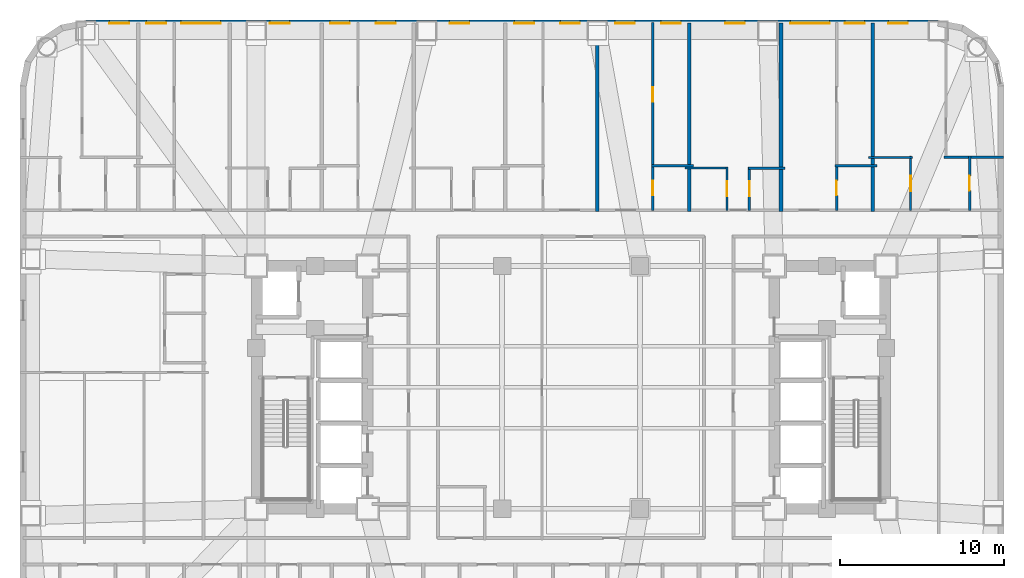
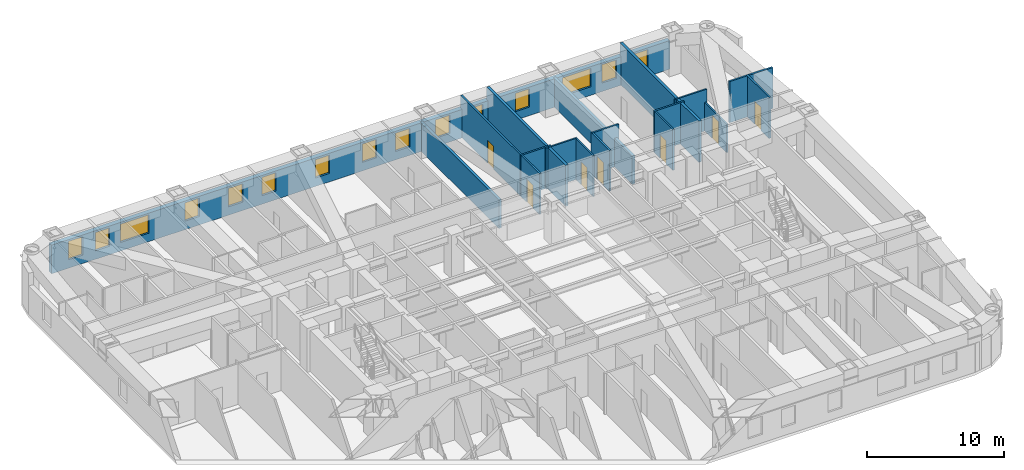
# One storey, part 9 of 12: 18 walls, 15 windows, 7 doors, 22 openings.
"""IFC4 building model written with IfcOpenShell, lengths in metres."""

from ifc_helpers import new_model, si_unit, direction, frame, frame_2d, origin, place, context, subcontext, project, spatial, rectangle, extrude, material, layer, layer_set, type_object, element, fill, save


model = new_model("IFC4")

# Units and contexts
model_context = context("Model", 3, precision=1e-05, world=origin(), true_north=direction((0.0, 1.0)))
body_context = subcontext(model_context, "Body", "Model", "MODEL_VIEW")
ifc_project = project(units=[si_unit("LENGTHUNIT", "METRE"), si_unit("AREAUNIT", "SQUARE_METRE"), si_unit("VOLUMEUNIT", "CUBIC_METRE"), si_unit("PLANEANGLEUNIT", "RADIAN"), si_unit("MASSUNIT", "GRAM", prefix="KILO")], contexts=[model_context])

# Site, building, storey
site_placement = place(None, origin())
site = spatial("IfcSite", under=ifc_project, at=site_placement, CompositionType="ELEMENT")
building_placement = place(site_placement, origin())
building = spatial("IfcBuilding", under=site, at=building_placement, Name="Voryun Gate Residences", CompositionType="ELEMENT")
storey_placement = place(building_placement, frame((0.0, 0.0, 29.89990234375)))
storey = spatial("IfcBuildingStorey", under=building, at=storey_placement, Name="L06", CompositionType="ELEMENT", Elevation=29.89990234375)

# Wall, openings, windows
ifc_material_1 = material(Name="Granite masonry", Category="masonry")
ifc_layer_1 = layer(ifc_material_1, 0.3798828125, Name="W_EXT_GRANITE_380")
ifc_layer_set_1 = layer_set([ifc_layer_1], Name="Granite masonry")
wall_type_1 = type_object("IfcWallType", Name="W_EXT_GRANITE_380", PredefinedType="ELEMENTEDWALL", material=ifc_layer_set_1)
wall_1_placement = place(storey_placement, frame((-29.581298828125, 22.2099609375, 0.0), z_axis=(0.0, 0.0, 1.0), x_axis=(1.0, 0.0, 0.0)))
wall_1 = element("IfcWall", 1, at=wall_1_placement, inside=storey, type_object=wall_type_1, Name="Exterior wall WEXT-L06-11", PredefinedType="ELEMENTEDWALL", context=body_context, shape_type="SweptSolid", body=[
    extrude(rectangle(XDim=51.962646484375, YDim=0.3798828125, at=frame_2d((25.9814453125, 0.0))), origin(), (0.0, 0.0, 1.0), 2.5400390625),
])
opening_1_placement = place(wall_1_placement, frame((5.810302734375, 0.0, 0.75)))
opening_1 = element("IfcOpeningElement", 2, at=opening_1_placement, cuts=wall_1, Name="Opening WN2", PredefinedType="OPENING", context=body_context, shape_type="SweptSolid", body=[
    extrude(rectangle(XDim=2.39990234375, YDim=1.6298828125, at=frame_2d((1.199951171875, 0.81494140625))), frame((0.0, 0.199951171875, 0.0), z_axis=(0.0, -1.0, 0.0), x_axis=(1.0, 0.0, 0.0)), (0.0, 0.0, 1.0), 0.39990234375),
])
opening_2_placement = place(wall_1_placement, frame((42.9521484375, 0.0, 0.75)))
opening_2 = element("IfcOpeningElement", 3, at=opening_2_placement, cuts=wall_1, Name="Opening WN2", PredefinedType="OPENING", context=body_context, shape_type="SweptSolid", body=[
    extrude(rectangle(XDim=2.39990234375, YDim=1.6298828125, at=frame_2d((1.199951171875, 0.81494140625))), frame((0.0, 0.199951171875, 0.0), z_axis=(0.0, -1.0, 0.0), x_axis=(1.0, 0.0, 0.0)), (0.0, 0.0, 1.0), 0.39990234375),
])
opening_3_placement = place(wall_1_placement, frame((1.435546875, 0.0, 0.75)))
opening_3 = element("IfcOpeningElement", 4, at=opening_3_placement, cuts=wall_1, Name="Opening WN6", PredefinedType="OPENING", context=body_context, shape_type="SweptSolid", body=[
    extrude(rectangle(XDim=1.199951171875, YDim=1.6298828125, at=frame_2d((0.60009765625, 0.81494140625))), frame((0.0, 0.199951171875, 0.0), z_axis=(0.0, -1.0, 0.0), x_axis=(1.0, 0.0, 0.0)), (0.0, 0.0, 1.0), 0.39990234375),
])
opening_4_placement = place(wall_1_placement, frame((3.686279296875, 0.0, 0.75)))
opening_4 = element("IfcOpeningElement", 5, at=opening_4_placement, cuts=wall_1, Name="Opening WN6", PredefinedType="OPENING", context=body_context, shape_type="SweptSolid", body=[
    extrude(rectangle(XDim=1.199951171875, YDim=1.6298828125, at=frame_2d((0.60009765625, 0.81494140625))), frame((0.0, 0.199951171875, 0.0), z_axis=(0.0, -1.0, 0.0), x_axis=(1.0, 0.0, 0.0)), (0.0, 0.0, 1.0), 0.39990234375),
])
opening_5_placement = place(wall_1_placement, frame((11.22119140625, 0.0, 0.75)))
opening_5 = element("IfcOpeningElement", 6, at=opening_5_placement, cuts=wall_1, Name="Opening WN6", PredefinedType="OPENING", context=body_context, shape_type="SweptSolid", body=[
    extrude(rectangle(XDim=1.199951171875, YDim=1.6298828125, at=frame_2d((0.60009765625, 0.81494140625))), frame((0.0, 0.199951171875, 0.0), z_axis=(0.0, -1.0, 0.0), x_axis=(1.0, 0.0, 0.0)), (0.0, 0.0, 1.0), 0.39990234375),
])
opening_6_placement = place(wall_1_placement, frame((17.686279296875, 0.0, 0.75)))
opening_6 = element("IfcOpeningElement", 7, at=opening_6_placement, cuts=wall_1, Name="Opening WN6", PredefinedType="OPENING", context=body_context, shape_type="SweptSolid", body=[
    extrude(rectangle(XDim=1.199951171875, YDim=1.6298828125, at=frame_2d((0.60009765625, 0.81494140625))), frame((0.0, 0.199951171875, 0.0), z_axis=(0.0, -1.0, 0.0), x_axis=(1.0, 0.0, 0.0)), (0.0, 0.0, 1.0), 0.39990234375),
])
opening_7_placement = place(wall_1_placement, frame((14.88623046875, 0.0, 0.75)))
opening_7 = element("IfcOpeningElement", 8, at=opening_7_placement, cuts=wall_1, Name="Opening WN6", PredefinedType="OPENING", context=body_context, shape_type="SweptSolid", body=[
    extrude(rectangle(XDim=1.199951171875, YDim=1.6298828125, at=frame_2d((0.60009765625, 0.81494140625))), frame((0.0, 0.199951171875, 0.0), z_axis=(0.0, -1.0, 0.0), x_axis=(1.0, 0.0, 0.0)), (0.0, 0.0, 1.0), 0.39990234375),
])
opening_8_placement = place(wall_1_placement, frame((22.181396484375, 0.0, 0.75)))
opening_8 = element("IfcOpeningElement", 9, at=opening_8_placement, cuts=wall_1, Name="Opening WN6", PredefinedType="OPENING", context=body_context, shape_type="SweptSolid", body=[
    extrude(rectangle(XDim=1.199951171875, YDim=1.6298828125, at=frame_2d((0.60009765625, 0.81494140625))), frame((0.0, 0.199951171875, 0.0), z_axis=(0.0, -1.0, 0.0), x_axis=(1.0, 0.0, 0.0)), (0.0, 0.0, 1.0), 0.39990234375),
])
opening_9_placement = place(wall_1_placement, frame((28.92626953125, 0.0, 0.75)))
opening_9 = element("IfcOpeningElement", 10, at=opening_9_placement, cuts=wall_1, Name="Opening WN6", PredefinedType="OPENING", context=body_context, shape_type="SweptSolid", body=[
    extrude(rectangle(XDim=1.199951171875, YDim=1.6298828125, at=frame_2d((0.60009765625, 0.81494140625))), frame((0.0, 0.199951171875, 0.0), z_axis=(0.0, -1.0, 0.0), x_axis=(1.0, 0.0, 0.0)), (0.0, 0.0, 1.0), 0.39990234375),
])
opening_10_placement = place(wall_1_placement, frame((26.126220703125, 0.0, 0.75)))
opening_10 = element("IfcOpeningElement", 11, at=opening_10_placement, cuts=wall_1, Name="Opening WN6", PredefinedType="OPENING", context=body_context, shape_type="SweptSolid", body=[
    extrude(rectangle(XDim=1.199951171875, YDim=1.6298828125, at=frame_2d((0.60009765625, 0.81494140625))), frame((0.0, 0.199951171875, 0.0), z_axis=(0.0, -1.0, 0.0), x_axis=(1.0, 0.0, 0.0)), (0.0, 0.0, 1.0), 0.39990234375),
])
opening_11_placement = place(wall_1_placement, frame((32.2763671875, 0.0, 0.75)))
opening_11 = element("IfcOpeningElement", 12, at=opening_11_placement, cuts=wall_1, Name="Opening WN6", PredefinedType="OPENING", context=body_context, shape_type="SweptSolid", body=[
    extrude(rectangle(XDim=1.199951171875, YDim=1.6298828125, at=frame_2d((0.60009765625, 0.81494140625))), frame((0.0, 0.199951171875, 0.0), z_axis=(0.0, -1.0, 0.0), x_axis=(1.0, 0.0, 0.0)), (0.0, 0.0, 1.0), 0.39990234375),
])
opening_12_placement = place(wall_1_placement, frame((35.076416015625, 0.0, 0.75)))
opening_12 = element("IfcOpeningElement", 13, at=opening_12_placement, cuts=wall_1, Name="Opening WN6", PredefinedType="OPENING", context=body_context, shape_type="SweptSolid", body=[
    extrude(rectangle(XDim=1.199951171875, YDim=1.6298828125, at=frame_2d((0.60009765625, 0.81494140625))), frame((0.0, 0.199951171875, 0.0), z_axis=(0.0, -1.0, 0.0), x_axis=(1.0, 0.0, 0.0)), (0.0, 0.0, 1.0), 0.39990234375),
])
opening_13_placement = place(wall_1_placement, frame((38.981201171875, 0.0, 0.75)))
opening_13 = element("IfcOpeningElement", 14, at=opening_13_placement, cuts=wall_1, Name="Opening WN6", PredefinedType="OPENING", context=body_context, shape_type="SweptSolid", body=[
    extrude(rectangle(XDim=1.199951171875, YDim=1.6298828125, at=frame_2d((0.60009765625, 0.81494140625))), frame((0.0, 0.199951171875, 0.0), z_axis=(0.0, -1.0, 0.0), x_axis=(1.0, 0.0, 0.0)), (0.0, 0.0, 1.0), 0.39990234375),
])
opening_14_placement = place(wall_1_placement, frame((46.2763671875, 0.0, 0.75)))
opening_14 = element("IfcOpeningElement", 15, at=opening_14_placement, cuts=wall_1, Name="Opening WN6", PredefinedType="OPENING", context=body_context, shape_type="SweptSolid", body=[
    extrude(rectangle(XDim=1.199951171875, YDim=1.6298828125, at=frame_2d((0.60009765625, 0.81494140625))), frame((0.0, 0.199951171875, 0.0), z_axis=(0.0, -1.0, 0.0), x_axis=(1.0, 0.0, 0.0)), (0.0, 0.0, 1.0), 0.39990234375),
])
opening_15_placement = place(wall_1_placement, frame((48.927001953125, 0.0, 0.75)))
opening_15 = element("IfcOpeningElement", 16, at=opening_15_placement, cuts=wall_1, Name="Opening WN6", PredefinedType="OPENING", context=body_context, shape_type="SweptSolid", body=[
    extrude(rectangle(XDim=1.199951171875, YDim=1.6298828125, at=frame_2d((0.60009765625, 0.81494140625))), frame((0.0, 0.199951171875, 0.0), z_axis=(0.0, -1.0, 0.0), x_axis=(1.0, 0.0, 0.0)), (0.0, 0.0, 1.0), 0.39990234375),
])
ifc_material_2 = material(Name="Laminated low-E glass", Category="glass")
window_type_1 = type_object("IfcWindowType", Name="WN_POD_SLOT_1200", PartitioningType="SINGLE_PANEL", PredefinedType="WINDOW", material=ifc_material_2)
window_1_placement = place(opening_3_placement, origin())
window_1 = element("IfcWindow", 17, at=window_1_placement, inside=storey, type_object=window_type_1, Name="Window WN-L06-DWFIX-02", OverallHeight=1.6298828125, OverallWidth=1.199951171875, PartitioningType="SINGLE_PANEL", PredefinedType="WINDOW", context=body_context, shape_type="SweptSolid", body=[
    extrude(rectangle(XDim=1.199951171875, YDim=1.6298828125, at=frame_2d((0.60009765625, 0.81494140625))), frame((0.0, 0.030029296875, 0.0), z_axis=(0.0, -1.0, 0.0), x_axis=(1.0, 0.0, 0.0)), (0.0, 0.0, 1.0), 0.06005859375),
])
fill(opening_3, window_1)
window_2_placement = place(opening_4_placement, origin())
window_2 = element("IfcWindow", 18, at=window_2_placement, inside=storey, type_object=window_type_1, Name="Window WN-L06-DWFIX-03", OverallHeight=1.6298828125, OverallWidth=1.199951171875, PartitioningType="SINGLE_PANEL", PredefinedType="WINDOW", context=body_context, shape_type="SweptSolid", body=[
    extrude(rectangle(XDim=1.199951171875, YDim=1.6298828125, at=frame_2d((0.60009765625, 0.81494140625))), frame((0.0, 0.030029296875, 0.0), z_axis=(0.0, -1.0, 0.0), x_axis=(1.0, 0.0, 0.0)), (0.0, 0.0, 1.0), 0.06005859375),
])
fill(opening_4, window_2)
window_3_placement = place(opening_5_placement, origin())
window_3 = element("IfcWindow", 19, at=window_3_placement, inside=storey, type_object=window_type_1, Name="Window WN-L06-DWFIX-04", OverallHeight=1.6298828125, OverallWidth=1.199951171875, PartitioningType="SINGLE_PANEL", PredefinedType="WINDOW", context=body_context, shape_type="SweptSolid", body=[
    extrude(rectangle(XDim=1.199951171875, YDim=1.6298828125, at=frame_2d((0.60009765625, 0.81494140625))), frame((0.0, 0.030029296875, 0.0), z_axis=(0.0, -1.0, 0.0), x_axis=(1.0, 0.0, 0.0)), (0.0, 0.0, 1.0), 0.06005859375),
])
fill(opening_5, window_3)
window_4_placement = place(opening_6_placement, origin())
window_4 = element("IfcWindow", 20, at=window_4_placement, inside=storey, type_object=window_type_1, Name="Window WN-L06-DWFIX-05", OverallHeight=1.6298828125, OverallWidth=1.199951171875, PartitioningType="SINGLE_PANEL", PredefinedType="WINDOW", context=body_context, shape_type="SweptSolid", body=[
    extrude(rectangle(XDim=1.199951171875, YDim=1.6298828125, at=frame_2d((0.60009765625, 0.81494140625))), frame((0.0, 0.030029296875, 0.0), z_axis=(0.0, -1.0, 0.0), x_axis=(1.0, 0.0, 0.0)), (0.0, 0.0, 1.0), 0.06005859375),
])
fill(opening_6, window_4)
window_5_placement = place(opening_7_placement, origin())
window_5 = element("IfcWindow", 21, at=window_5_placement, inside=storey, type_object=window_type_1, Name="Window WN-L06-DWFIX-06", OverallHeight=1.6298828125, OverallWidth=1.199951171875, PartitioningType="SINGLE_PANEL", PredefinedType="WINDOW", context=body_context, shape_type="SweptSolid", body=[
    extrude(rectangle(XDim=1.199951171875, YDim=1.6298828125, at=frame_2d((0.60009765625, 0.81494140625))), frame((0.0, 0.030029296875, 0.0), z_axis=(0.0, -1.0, 0.0), x_axis=(1.0, 0.0, 0.0)), (0.0, 0.0, 1.0), 0.06005859375),
])
fill(opening_7, window_5)
window_6_placement = place(opening_8_placement, origin())
window_6 = element("IfcWindow", 22, at=window_6_placement, inside=storey, type_object=window_type_1, Name="Window WN-L06-DWFIX-07", OverallHeight=1.6298828125, OverallWidth=1.199951171875, PartitioningType="SINGLE_PANEL", PredefinedType="WINDOW", context=body_context, shape_type="SweptSolid", body=[
    extrude(rectangle(XDim=1.199951171875, YDim=1.6298828125, at=frame_2d((0.60009765625, 0.81494140625))), frame((0.0, 0.030029296875, 0.0), z_axis=(0.0, -1.0, 0.0), x_axis=(1.0, 0.0, 0.0)), (0.0, 0.0, 1.0), 0.06005859375),
])
fill(opening_8, window_6)
window_7_placement = place(opening_9_placement, origin())
window_7 = element("IfcWindow", 23, at=window_7_placement, inside=storey, type_object=window_type_1, Name="Window WN-L06-DWFIX-08", OverallHeight=1.6298828125, OverallWidth=1.199951171875, PartitioningType="SINGLE_PANEL", PredefinedType="WINDOW", context=body_context, shape_type="SweptSolid", body=[
    extrude(rectangle(XDim=1.199951171875, YDim=1.6298828125, at=frame_2d((0.60009765625, 0.81494140625))), frame((0.0, 0.030029296875, 0.0), z_axis=(0.0, -1.0, 0.0), x_axis=(1.0, 0.0, 0.0)), (0.0, 0.0, 1.0), 0.06005859375),
])
fill(opening_9, window_7)
window_8_placement = place(opening_10_placement, origin())
window_8 = element("IfcWindow", 24, at=window_8_placement, inside=storey, type_object=window_type_1, Name="Window WN-L06-DWFIX-09", OverallHeight=1.6298828125, OverallWidth=1.199951171875, PartitioningType="SINGLE_PANEL", PredefinedType="WINDOW", context=body_context, shape_type="SweptSolid", body=[
    extrude(rectangle(XDim=1.199951171875, YDim=1.6298828125, at=frame_2d((0.60009765625, 0.81494140625))), frame((0.0, 0.030029296875, 0.0), z_axis=(0.0, -1.0, 0.0), x_axis=(1.0, 0.0, 0.0)), (0.0, 0.0, 1.0), 0.06005859375),
])
fill(opening_10, window_8)
window_9_placement = place(opening_11_placement, origin())
window_9 = element("IfcWindow", 25, at=window_9_placement, inside=storey, type_object=window_type_1, Name="Window WN-L06-DWFIX-10", OverallHeight=1.6298828125, OverallWidth=1.199951171875, PartitioningType="SINGLE_PANEL", PredefinedType="WINDOW", context=body_context, shape_type="SweptSolid", body=[
    extrude(rectangle(XDim=1.199951171875, YDim=1.6298828125, at=frame_2d((0.60009765625, 0.81494140625))), frame((0.0, 0.030029296875, 0.0), z_axis=(0.0, -1.0, 0.0), x_axis=(1.0, 0.0, 0.0)), (0.0, 0.0, 1.0), 0.06005859375),
])
fill(opening_11, window_9)
window_10_placement = place(opening_12_placement, origin())
window_10 = element("IfcWindow", 26, at=window_10_placement, inside=storey, type_object=window_type_1, Name="Window WN-L06-DWFIX-11", OverallHeight=1.6298828125, OverallWidth=1.199951171875, PartitioningType="SINGLE_PANEL", PredefinedType="WINDOW", context=body_context, shape_type="SweptSolid", body=[
    extrude(rectangle(XDim=1.199951171875, YDim=1.6298828125, at=frame_2d((0.60009765625, 0.81494140625))), frame((0.0, 0.030029296875, 0.0), z_axis=(0.0, -1.0, 0.0), x_axis=(1.0, 0.0, 0.0)), (0.0, 0.0, 1.0), 0.06005859375),
])
fill(opening_12, window_10)
window_11_placement = place(opening_13_placement, origin())
window_11 = element("IfcWindow", 27, at=window_11_placement, inside=storey, type_object=window_type_1, Name="Window WN-L06-DWFIX-12", OverallHeight=1.6298828125, OverallWidth=1.199951171875, PartitioningType="SINGLE_PANEL", PredefinedType="WINDOW", context=body_context, shape_type="SweptSolid", body=[
    extrude(rectangle(XDim=1.199951171875, YDim=1.6298828125, at=frame_2d((0.60009765625, 0.81494140625))), frame((0.0, 0.030029296875, 0.0), z_axis=(0.0, -1.0, 0.0), x_axis=(1.0, 0.0, 0.0)), (0.0, 0.0, 1.0), 0.06005859375),
])
fill(opening_13, window_11)
window_12_placement = place(opening_14_placement, origin())
window_12 = element("IfcWindow", 28, at=window_12_placement, inside=storey, type_object=window_type_1, Name="Window WN-L06-DWFIX-13", OverallHeight=1.6298828125, OverallWidth=1.199951171875, PartitioningType="SINGLE_PANEL", PredefinedType="WINDOW", context=body_context, shape_type="SweptSolid", body=[
    extrude(rectangle(XDim=1.199951171875, YDim=1.6298828125, at=frame_2d((0.60009765625, 0.81494140625))), frame((0.0, 0.030029296875, 0.0), z_axis=(0.0, -1.0, 0.0), x_axis=(1.0, 0.0, 0.0)), (0.0, 0.0, 1.0), 0.06005859375),
])
fill(opening_14, window_12)
window_13_placement = place(opening_15_placement, origin())
window_13 = element("IfcWindow", 29, at=window_13_placement, inside=storey, type_object=window_type_1, Name="Window WN-L06-DWFIX-14", OverallHeight=1.6298828125, OverallWidth=1.199951171875, PartitioningType="SINGLE_PANEL", PredefinedType="WINDOW", context=body_context, shape_type="SweptSolid", body=[
    extrude(rectangle(XDim=1.199951171875, YDim=1.6298828125, at=frame_2d((0.60009765625, 0.81494140625))), frame((0.0, 0.030029296875, 0.0), z_axis=(0.0, -1.0, 0.0), x_axis=(1.0, 0.0, 0.0)), (0.0, 0.0, 1.0), 0.06005859375),
])
fill(opening_15, window_13)
ifc_material_3 = material(Name="Laminated low-E glass", Category="glass")
window_type_2 = type_object("IfcWindowType", Name="WN_RES_WIDE_2400", PartitioningType="SINGLE_PANEL", PredefinedType="WINDOW", material=ifc_material_3)
window_14_placement = place(opening_1_placement, origin())
window_14 = element("IfcWindow", 30, at=window_14_placement, inside=storey, type_object=window_type_2, Name="Window WN-WEXT-L06-11-01", OverallHeight=1.6298828125, OverallWidth=2.39990234375, PartitioningType="SINGLE_PANEL", PredefinedType="WINDOW", context=body_context, shape_type="SweptSolid", body=[
    extrude(rectangle(XDim=2.39990234375, YDim=1.6298828125, at=frame_2d((1.199951171875, 0.81494140625))), frame((0.0, 0.030029296875, 0.0), z_axis=(0.0, -1.0, 0.0), x_axis=(1.0, 0.0, 0.0)), (0.0, 0.0, 1.0), 0.06005859375),
])
fill(opening_1, window_14)
window_15_placement = place(opening_2_placement, origin())
window_15 = element("IfcWindow", 31, at=window_15_placement, inside=storey, type_object=window_type_2, Name="Window WN-WEXT-L06-11-03", OverallHeight=1.6298828125, OverallWidth=2.39990234375, PartitioningType="SINGLE_PANEL", PredefinedType="WINDOW", context=body_context, shape_type="SweptSolid", body=[
    extrude(rectangle(XDim=2.39990234375, YDim=1.6298828125, at=frame_2d((1.199951171875, 0.81494140625))), frame((0.0, 0.030029296875, 0.0), z_axis=(0.0, -1.0, 0.0), x_axis=(1.0, 0.0, 0.0)), (0.0, 0.0, 1.0), 0.06005859375),
])
fill(opening_2, window_15)

# Walls
ifc_material_4 = material(Name="Concrete C40/50", Category="concrete")
ifc_layer_2 = layer(ifc_material_4, 0.219970703125, Name="W_PARTY_ACOUSTIC_220")
ifc_layer_set_2 = layer_set([ifc_layer_2], Name="Concrete C40/50")
wall_type_2 = type_object("IfcWallType", Name="W_PARTY_ACOUSTIC_220", PredefinedType="PARTITIONING", material=ifc_layer_set_2)
wall_2_placement = place(storey_placement, frame((1.60009765625, 10.719970703125, 0.0), z_axis=(0.0, 0.0, 1.0), x_axis=(0.0, 1.0, 0.0)))
element("IfcWall", 32, at=wall_2_placement, inside=storey, type_object=wall_type_2, Name="Partition wall WP-L06-NPTY-6", PredefinedType="PARTITIONING", context=body_context, shape_type="SweptSolid", body=[
    extrude(rectangle(XDim=11.489990234375, YDim=0.219970703125, at=frame_2d((5.7451171875, 0.0))), origin(), (0.0, 0.0, 1.0), 2.5400390625),
])
wall_3_placement = place(storey_placement, frame((7.199951171875, 10.719970703125, 0.0), z_axis=(0.0, 0.0, 1.0), x_axis=(0.0, 1.0, 0.0)))
element("IfcWall", 33, at=wall_3_placement, inside=storey, type_object=wall_type_2, Name="Partition wall WP-L06-NPTY-7", PredefinedType="PARTITIONING", context=body_context, shape_type="SweptSolid", body=[
    extrude(rectangle(XDim=11.489990234375, YDim=0.219970703125, at=frame_2d((5.7451171875, 0.0))), origin(), (0.0, 0.0, 1.0), 3.650146484375),
])
wall_4_placement = place(storey_placement, frame((12.800048828125, 10.719970703125, 0.0), z_axis=(0.0, 0.0, 1.0), x_axis=(0.0, 1.0, 0.0)))
element("IfcWall", 34, at=wall_4_placement, inside=storey, type_object=wall_type_2, Name="Partition wall WP-L06-NPTY-8", PredefinedType="PARTITIONING", context=body_context, shape_type="SweptSolid", body=[
    extrude(rectangle(XDim=11.489990234375, YDim=0.219970703125, at=frame_2d((5.7451171875, 0.0))), origin(), (0.0, 0.0, 1.0), 2.5400390625),
])
wall_5_placement = place(storey_placement, frame((18.39990234375, 10.719970703125, 0.0), z_axis=(0.0, 0.0, 1.0), x_axis=(0.0, 1.0, 0.0)))
element("IfcWall", 35, at=wall_5_placement, inside=storey, type_object=wall_type_2, Name="Partition wall WP-L06-NPTY-9", PredefinedType="PARTITIONING", context=body_context, shape_type="SweptSolid", body=[
    extrude(rectangle(XDim=11.489990234375, YDim=0.219970703125, at=frame_2d((5.7451171875, 0.0))), origin(), (0.0, 0.0, 1.0), 3.650146484375),
])

# Wall, opening, door
ifc_material_5 = material(Name="Gypsum acoustic partition")
ifc_layer_3 = layer(ifc_material_5, 0.125, Name="W_UNIT_PART_125")
ifc_layer_set_3 = layer_set([ifc_layer_3], Name="Gypsum acoustic partition")
wall_type_3 = type_object("IfcWallType", Name="W_UNIT_PART_125", PredefinedType="PARTITIONING", material=ifc_layer_set_3)
wall_6_placement = place(storey_placement, frame((9.510009765625, 10.780029296875, 0.0), z_axis=(0.0, 0.0, 1.0), x_axis=(0.0, 1.0, 0.0)))
wall_6 = element("IfcWall", 36, at=wall_6_placement, inside=storey, type_object=wall_type_3, Name="Partition wall WP-L06-N8-CVK", PredefinedType="PARTITIONING", context=body_context, shape_type="SweptSolid", body=[
    extrude(rectangle(XDim=2.64990234375, YDim=0.125, at=frame_2d((1.324951171875, 0.0))), origin(), (0.0, 0.0, 1.0), 3.650146484375),
])
opening_16_placement = place(wall_6_placement, frame((0.875, 0.0, 0.0)))
opening_16 = element("IfcOpeningElement", 37, at=opening_16_placement, cuts=wall_6, Name="Opening D-INT-2", PredefinedType="OPENING", context=body_context, shape_type="SweptSolid", body=[
    extrude(rectangle(XDim=0.89990234375, YDim=2.050048828125, at=frame_2d((0.449951171875, 1.02490234375))), frame((0.0, 0.072509765625, 0.0), z_axis=(0.0, -1.0, 0.0), x_axis=(1.0, 0.0, 0.0)), (0.0, 0.0, 1.0), 0.14501953125),
])
ifc_material_6 = material(Name="Architectural oak veneer")
door_type_1 = type_object("IfcDoorType", Name="DR_INT_BATH_900", OperationType="NOTDEFINED", PredefinedType="DOOR", material=ifc_material_6)
door_1_placement = place(opening_16_placement, origin())
door_1 = element("IfcDoor", 38, at=door_1_placement, inside=storey, type_object=door_type_1, Name="Door DR-L06-N8-DK", OperationType="SINGLE_SWING_LEFT", OverallHeight=2.050048828125, OverallWidth=0.89990234375, PredefinedType="DOOR", context=body_context, shape_type="SweptSolid", body=[
    extrude(rectangle(XDim=0.89990234375, YDim=2.050048828125, at=frame_2d((0.449951171875, 1.02490234375))), frame((0.0, 0.02490234375, 0.0), z_axis=(0.0, -1.0, 0.0), x_axis=(1.0, 0.0, 0.0)), (0.0, 0.0, 1.0), 0.050048828125),
])
fill(opening_16, door_1)

# Wall
wall_7_placement = place(storey_placement, frame((6.93994140625, 13.3701171875, 0.0), z_axis=(0.0, 0.0, 1.0), x_axis=(1.0, 0.0, 0.0)))
element("IfcWall", 39, at=wall_7_placement, inside=storey, type_object=wall_type_3, Name="Partition wall WP-L06-N8-CHK", PredefinedType="PARTITIONING", context=body_context, shape_type="SweptSolid", body=[
    extrude(rectangle(XDim=2.630126953125, YDim=0.125, at=frame_2d((1.31494140625, 0.0))), origin(), (0.0, 0.0, 1.0), 3.650146484375),
])

# Wall, opening, door
wall_8_placement = place(storey_placement, frame((20.7099609375, 10.780029296875, 0.0), z_axis=(0.0, 0.0, 1.0), x_axis=(0.0, 1.0, 0.0)))
wall_8 = element("IfcWall", 40, at=wall_8_placement, inside=storey, type_object=wall_type_3, Name="Partition wall WP-L06-N10-IVK", PredefinedType="PARTITIONING", context=body_context, shape_type="SweptSolid", body=[
    extrude(rectangle(XDim=3.320068359375, YDim=0.125, at=frame_2d((1.66015625, 0.0))), origin(), (0.0, 0.0, 1.0), 2.5400390625),
])
opening_17_placement = place(wall_8_placement, frame((1.18505859375, 0.0, 0.0)))
opening_17 = element("IfcOpeningElement", 41, at=opening_17_placement, cuts=wall_8, Name="Opening D-INT-1", PredefinedType="OPENING", context=body_context, shape_type="SweptSolid", body=[
    extrude(rectangle(XDim=0.949951171875, YDim=2.050048828125, at=frame_2d((0.47509765625, 1.02490234375))), frame((0.0, 0.072509765625, 0.0), z_axis=(0.0, -1.0, 0.0), x_axis=(1.0, 0.0, 0.0)), (0.0, 0.0, 1.0), 0.14501953125),
])
ifc_material_7 = material(Name="Architectural oak veneer")
door_type_2 = type_object("IfcDoorType", Name="DR_INT_ROOM_950", OperationType="NOTDEFINED", PredefinedType="DOOR", material=ifc_material_7)
door_2_placement = place(opening_17_placement, origin())
door_2 = element("IfcDoor", 42, at=door_2_placement, inside=storey, type_object=door_type_2, Name="Door DR-L06-N10-DK", OperationType="SINGLE_SWING_LEFT", OverallHeight=2.050048828125, OverallWidth=0.949951171875, PredefinedType="DOOR", context=body_context, shape_type="SweptSolid", body=[
    extrude(rectangle(XDim=0.949951171875, YDim=2.050048828125, at=frame_2d((0.47509765625, 1.02490234375))), frame((0.0, 0.02490234375, 0.0), z_axis=(0.0, -1.0, 0.0), x_axis=(1.0, 0.0, 0.0)), (0.0, 0.0, 1.0), 0.050048828125),
])
fill(opening_17, door_2)

# Walls
wall_9_placement = place(storey_placement, frame((18.139892578125, 14.02001953125, 0.0), z_axis=(0.0, 0.0, 1.0), x_axis=(1.0, 0.0, 0.0)))
element("IfcWall", 43, at=wall_9_placement, inside=storey, type_object=wall_type_3, Name="Partition wall WP-L06-N10-HZK", PredefinedType="PARTITIONING", context=body_context, shape_type="SweptSolid", body=[
    extrude(rectangle(XDim=2.690185546875, YDim=0.125, at=frame_2d((1.34521484375, 0.0))), origin(), (0.0, 0.0, 1.0), 3.650146484375),
])
ifc_material_8 = material(Name="Gypsum moisture-resistant partition")
ifc_layer_4 = layer(ifc_material_8, 0.14990234375, Name="W_WET_PLUMB_150")
ifc_layer_set_4 = layer_set([ifc_layer_4], Name="Gypsum moisture-resistant partition")
wall_type_4 = type_object("IfcWallType", Name="W_WET_PLUMB_150", PredefinedType="PLUMBINGWALL", material=ifc_layer_set_4)
wall_10_placement = place(storey_placement, frame((4.909912109375, 13.5, 0.0), z_axis=(0.0, 0.0, 1.0), x_axis=(1.0, 0.0, 0.0)))
element("IfcWall", 44, at=wall_10_placement, inside=storey, type_object=wall_type_4, Name="Partition wall WP-L06-N7-SKB", PredefinedType="PLUMBINGWALL", context=body_context, shape_type="SweptSolid", body=[
    extrude(rectangle(XDim=2.550048828125, YDim=0.14990234375, at=frame_2d((1.27490234375, 0.0))), origin(), (0.0, 0.0, 1.0), 3.650146484375),
])

# Wall, opening, door
wall_11_placement = place(storey_placement, frame((4.989990234375, 10.780029296875, 0.0), z_axis=(0.0, 0.0, 1.0), x_axis=(0.0, 1.0, 0.0)))
wall_11 = element("IfcWall", 45, at=wall_11_placement, inside=storey, type_object=wall_type_4, Name="Partition wall WP-L06-N7-SVT1", PredefinedType="PLUMBINGWALL", context=body_context, shape_type="SweptSolid", body=[
    extrude(rectangle(XDim=2.760009765625, YDim=0.14990234375, at=frame_2d((1.3798828125, 0.0))), origin(), (0.0, 0.0, 1.0), 3.650146484375),
])
opening_18_placement = place(wall_11_placement, frame((0.929931640625, 0.0, 0.0)))
opening_18 = element("IfcOpeningElement", 46, at=opening_18_placement, cuts=wall_11, Name="Opening D-INT-2", PredefinedType="OPENING", context=body_context, shape_type="SweptSolid", body=[
    extrude(rectangle(XDim=0.89990234375, YDim=2.050048828125, at=frame_2d((0.449951171875, 1.02490234375))), frame((0.0, 0.0849609375, 0.0), z_axis=(0.0, -1.0, 0.0), x_axis=(1.0, 0.0, 0.0)), (0.0, 0.0, 1.0), 0.169921875),
])
door_3_placement = place(opening_18_placement, origin())
door_3 = element("IfcDoor", 47, at=door_3_placement, inside=storey, type_object=door_type_1, Name="Door DR-L06-N7-DB", OperationType="SINGLE_SWING_LEFT", OverallHeight=2.050048828125, OverallWidth=0.89990234375, PredefinedType="DOOR", context=body_context, shape_type="SweptSolid", body=[
    extrude(rectangle(XDim=0.89990234375, YDim=2.050048828125, at=frame_2d((0.449951171875, 1.02490234375))), frame((0.0, 0.02490234375, 0.0), z_axis=(0.0, -1.0, 0.0), x_axis=(1.0, 0.0, 0.0)), (0.0, 0.0, 1.0), 0.050048828125),
])
fill(opening_18, door_3)

wall_12_placement = place(storey_placement, frame((4.989990234375, 13.4599609375, 0.0), z_axis=(0.0, 0.0, 1.0), x_axis=(0.0, 1.0, 0.0)))
wall_12 = element("IfcWall", 48, at=wall_12_placement, inside=storey, type_object=wall_type_4, Name="Partition wall WP-L06-N7-SVT2", PredefinedType="PLUMBINGWALL", context=body_context, shape_type="SweptSolid", body=[
    extrude(rectangle(XDim=8.797607421875, YDim=0.14990234375, at=frame_2d((4.39892578125, 0.0))), origin(), (0.0, 0.0, 1.0), 3.650146484375),
])
opening_19_placement = place(wall_12_placement, frame((3.94873046875, 0.0, 0.0)))
opening_19 = element("IfcOpeningElement", 49, at=opening_19_placement, cuts=wall_12, Name="Opening D-INT-2", PredefinedType="OPENING", context=body_context, shape_type="SweptSolid", body=[
    extrude(rectangle(XDim=0.89990234375, YDim=2.050048828125, at=frame_2d((0.449951171875, 1.02490234375))), frame((0.0, 0.0849609375, 0.0), z_axis=(0.0, -1.0, 0.0), x_axis=(1.0, 0.0, 0.0)), (0.0, 0.0, 1.0), 0.169921875),
])
door_4_placement = place(opening_19_placement, origin())
door_4 = element("IfcDoor", 50, at=door_4_placement, inside=storey, type_object=door_type_1, Name="Door DR-L06-N7-DK", OperationType="SINGLE_SWING_RIGHT", OverallHeight=2.050048828125, OverallWidth=0.89990234375, PredefinedType="DOOR", context=body_context, shape_type="SweptSolid", body=[
    extrude(rectangle(XDim=0.89990234375, YDim=2.050048828125, at=frame_2d((0.449951171875, 1.02490234375))), frame((0.0, 0.02490234375, 0.0), z_axis=(0.0, -1.0, 0.0), x_axis=(1.0, 0.0, 0.0)), (0.0, 0.0, 1.0), 0.050048828125),
])
fill(opening_19, door_4)

wall_13_placement = place(storey_placement, frame((10.876953125, 10.780029296875, 0.0), z_axis=(0.0, 0.0, 1.0), x_axis=(0.0, 1.0, 0.0)))
wall_13 = element("IfcWall", 51, at=wall_13_placement, inside=storey, type_object=wall_type_4, Name="Partition wall WP-L06-N8-CVB", PredefinedType="PLUMBINGWALL", context=body_context, shape_type="SweptSolid", body=[
    extrude(rectangle(XDim=2.64990234375, YDim=0.14990234375, at=frame_2d((1.324951171875, 0.0))), origin(), (0.0, 0.0, 1.0), 3.650146484375),
])
opening_20_placement = place(wall_13_placement, frame((0.875, 0.0, 0.0)))
opening_20 = element("IfcOpeningElement", 52, at=opening_20_placement, cuts=wall_13, Name="Opening D-INT-2", PredefinedType="OPENING", context=body_context, shape_type="SweptSolid", body=[
    extrude(rectangle(XDim=0.89990234375, YDim=2.050048828125, at=frame_2d((0.449951171875, 1.02490234375))), frame((0.0, 0.0849609375, 0.0), z_axis=(0.0, -1.0, 0.0), x_axis=(1.0, 0.0, 0.0)), (0.0, 0.0, 1.0), 0.169921875),
])
door_5_placement = place(opening_20_placement, origin())
door_5 = element("IfcDoor", 53, at=door_5_placement, inside=storey, type_object=door_type_1, Name="Door DR-L06-N8-DB", OperationType="SINGLE_SWING_RIGHT", OverallHeight=2.050048828125, OverallWidth=0.89990234375, PredefinedType="DOOR", context=body_context, shape_type="SweptSolid", body=[
    extrude(rectangle(XDim=0.89990234375, YDim=2.050048828125, at=frame_2d((0.449951171875, 1.02490234375))), frame((0.0, 0.02490234375, 0.0), z_axis=(0.0, -1.0, 0.0), x_axis=(1.0, 0.0, 0.0)), (0.0, 0.0, 1.0), 0.050048828125),
])
fill(opening_20, door_5)

# Walls
wall_14_placement = place(storey_placement, frame((10.81689453125, 13.3701171875, 0.0), z_axis=(0.0, 0.0, 1.0), x_axis=(1.0, 0.0, 0.0)))
element("IfcWall", 54, at=wall_14_placement, inside=storey, type_object=wall_type_4, Name="Partition wall WP-L06-N8-CHB", PredefinedType="PLUMBINGWALL", context=body_context, shape_type="SweptSolid", body=[
    extrude(rectangle(XDim=2.2431640625, YDim=0.14990234375, at=frame_2d((1.12158203125, 0.0))), origin(), (0.0, 0.0, 1.0), 3.650146484375),
])
wall_15_placement = place(storey_placement, frame((16.110107421875, 13.5, 0.0), z_axis=(0.0, 0.0, 1.0), x_axis=(1.0, 0.0, 0.0)))
element("IfcWall", 55, at=wall_15_placement, inside=storey, type_object=wall_type_4, Name="Partition wall WP-L06-N9-SKB", PredefinedType="PLUMBINGWALL", context=body_context, shape_type="SweptSolid", body=[
    extrude(rectangle(XDim=2.5498046875, YDim=0.14990234375, at=frame_2d((1.27490234375, 0.0))), origin(), (0.0, 0.0, 1.0), 3.650146484375),
])

# Wall, opening, door
wall_16_placement = place(storey_placement, frame((16.18994140625, 10.780029296875, 0.0), z_axis=(0.0, 0.0, 1.0), x_axis=(0.0, 1.0, 0.0)))
wall_16 = element("IfcWall", 56, at=wall_16_placement, inside=storey, type_object=wall_type_4, Name="Partition wall WP-L06-N9-SVT1", PredefinedType="PLUMBINGWALL", context=body_context, shape_type="SweptSolid", body=[
    extrude(rectangle(XDim=2.760009765625, YDim=0.14990234375, at=frame_2d((1.3798828125, 0.0))), origin(), (0.0, 0.0, 1.0), 3.650146484375),
])
opening_21_placement = place(wall_16_placement, frame((0.929931640625, 0.0, 0.0)))
opening_21 = element("IfcOpeningElement", 57, at=opening_21_placement, cuts=wall_16, Name="Opening D-INT-2", PredefinedType="OPENING", context=body_context, shape_type="SweptSolid", body=[
    extrude(rectangle(XDim=0.89990234375, YDim=2.050048828125, at=frame_2d((0.449951171875, 1.02490234375))), frame((0.0, 0.0849609375, 0.0), z_axis=(0.0, -1.0, 0.0), x_axis=(1.0, 0.0, 0.0)), (0.0, 0.0, 1.0), 0.169921875),
])
door_6_placement = place(opening_21_placement, origin())
door_6 = element("IfcDoor", 58, at=door_6_placement, inside=storey, type_object=door_type_1, Name="Door DR-L06-N9-DB", OperationType="SINGLE_SWING_LEFT", OverallHeight=2.050048828125, OverallWidth=0.89990234375, PredefinedType="DOOR", context=body_context, shape_type="SweptSolid", body=[
    extrude(rectangle(XDim=0.89990234375, YDim=2.050048828125, at=frame_2d((0.449951171875, 1.02490234375))), frame((0.0, 0.02490234375, 0.0), z_axis=(0.0, -1.0, 0.0), x_axis=(1.0, 0.0, 0.0)), (0.0, 0.0, 1.0), 0.050048828125),
])
fill(opening_21, door_6)

# Wall
wall_17_placement = place(storey_placement, frame((22.748046875, 14.02001953125, 0.0), z_axis=(0.0, 0.0, 1.0), x_axis=(1.0, 0.0, 0.0)))
element("IfcWall", 59, at=wall_17_placement, inside=storey, type_object=wall_type_4, Name="Partition wall WP-L06-N10-HZB", PredefinedType="PLUMBINGWALL", context=body_context, shape_type="SweptSolid", body=[
    extrude(rectangle(XDim=3.612060546875, YDim=0.14990234375, at=frame_2d((1.80615234375, 0.0))), origin(), (0.0, 0.0, 1.0), 3.650146484375),
])

# Wall, opening, door
wall_18_placement = place(storey_placement, frame((24.298095703125, 10.780029296875, 0.0), z_axis=(0.0, 0.0, 1.0), x_axis=(0.0, 1.0, 0.0)))
wall_18 = element("IfcWall", 60, at=wall_18_placement, inside=storey, type_object=wall_type_4, Name="Partition wall WP-L06-N10-IVB", PredefinedType="PLUMBINGWALL", context=body_context, shape_type="SweptSolid", body=[
    extrude(rectangle(XDim=3.320068359375, YDim=0.14990234375, at=frame_2d((1.66015625, 0.0))), origin(), (0.0, 0.0, 1.0), 3.650146484375),
])
opening_22_placement = place(wall_18_placement, frame((1.2099609375, 0.0, 0.0)))
opening_22 = element("IfcOpeningElement", 61, at=opening_22_placement, cuts=wall_18, Name="Opening D-INT-2", PredefinedType="OPENING", context=body_context, shape_type="SweptSolid", body=[
    extrude(rectangle(XDim=0.89990234375, YDim=2.050048828125, at=frame_2d((0.449951171875, 1.02490234375))), frame((0.0, 0.0849609375, 0.0), z_axis=(0.0, -1.0, 0.0), x_axis=(1.0, 0.0, 0.0)), (0.0, 0.0, 1.0), 0.169921875),
])
door_7_placement = place(opening_22_placement, origin())
door_7 = element("IfcDoor", 62, at=door_7_placement, inside=storey, type_object=door_type_1, Name="Door DR-L06-N10-DB", OperationType="SINGLE_SWING_RIGHT", OverallHeight=2.050048828125, OverallWidth=0.89990234375, PredefinedType="DOOR", context=body_context, shape_type="SweptSolid", body=[
    extrude(rectangle(XDim=0.89990234375, YDim=2.050048828125, at=frame_2d((0.449951171875, 1.02490234375))), frame((0.0, 0.02490234375, 0.0), z_axis=(0.0, -1.0, 0.0), x_axis=(1.0, 0.0, 0.0)), (0.0, 0.0, 1.0), 0.050048828125),
])
fill(opening_22, door_7)

save(model, "model.ifc")
